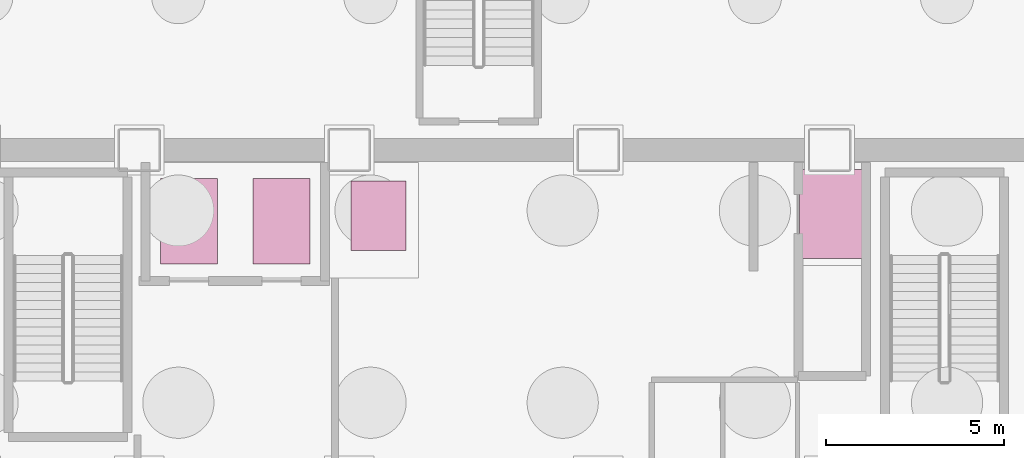
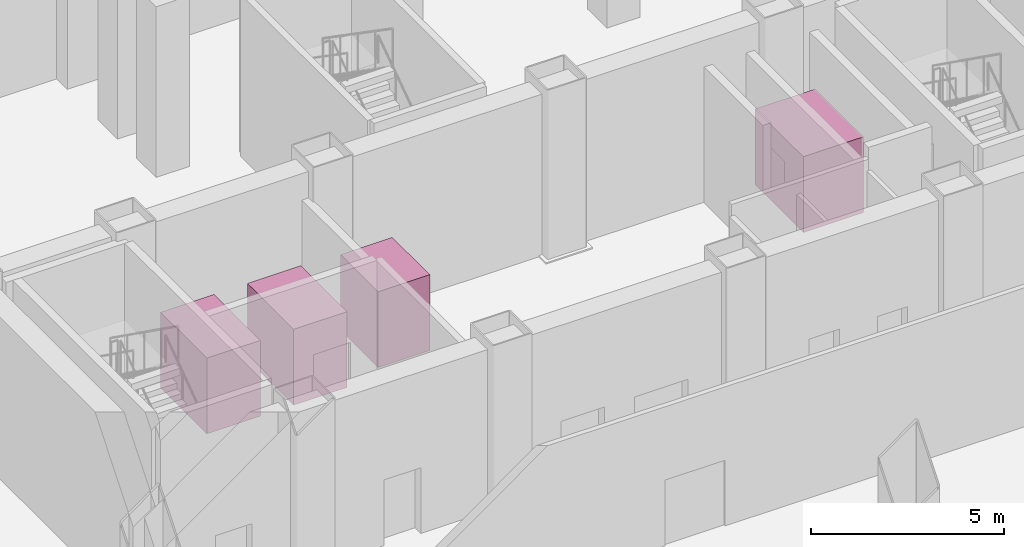
# One storey, part 8 of 8: 4 transport elements.
"""IFC4 building model written with IfcOpenShell, lengths in metres."""

from ifc_helpers import new_model, si_unit, direction, frame, origin, origin_2d, place, context, subcontext, project, spatial, rectangle, extrude, material, type_object, element, save


model = new_model("IFC4")

# Units and contexts
model_context = context("Model", 3, precision=1e-05, world=origin(), true_north=direction((0.0, 1.0)))
body_context = subcontext(model_context, "Body", "Model", "MODEL_VIEW")
ifc_project = project(units=[si_unit("LENGTHUNIT", "METRE"), si_unit("AREAUNIT", "SQUARE_METRE"), si_unit("VOLUMEUNIT", "CUBIC_METRE"), si_unit("PLANEANGLEUNIT", "RADIAN"), si_unit("MASSUNIT", "GRAM", prefix="KILO")], contexts=[model_context])

# Site, building, storey
site_placement = place(None, origin())
site = spatial("IfcSite", under=ifc_project, at=site_placement, CompositionType="ELEMENT")
building_placement = place(site_placement, origin())
building = spatial("IfcBuilding", under=site, at=building_placement, Name="Noeulbin Bourse Tower", CompositionType="ELEMENT")
storey_placement = place(building_placement, frame((0.0, 0.0, -15.60009765625)))
storey = spatial("IfcBuildingStorey", under=building, at=storey_placement, Name="B03", CompositionType="ELEMENT", Elevation=-15.60009765625)

# Transport elements
ifc_material = material(Name="Stainless Steel 316 Elevator Car", Category="steel")
transport_element_type_1 = type_object("IfcTransportElementType", Name="LFT-FL-01", PredefinedType="ELEVATOR", material=ifc_material)
transport_element_1_placement = place(storey_placement, frame((19.5, 36.300048828125, 0.2001953125), z_axis=(0.0, 0.0, 1.0), x_axis=(1.0, 0.0, 0.0)))
element("IfcTransportElement", 1, at=transport_element_1_placement, inside=storey, type_object=transport_element_type_1, Name="Firefighting Elevator FL-01", PredefinedType="ELEVATOR", context=body_context, shape_type="SweptSolid", body=[
    extrude(rectangle(XDim=1.60009765625, YDim=2.39990234375, at=origin_2d()), origin(), (0.0, 0.0, 1.0), 2.39990234375),
])
transport_element_type_2 = type_object("IfcTransportElementType", Name="LFT-FL-02", PredefinedType="ELEVATOR", material=ifc_material)
transport_element_2_placement = place(storey_placement, frame((22.10009765625, 36.300048828125, 0.2001953125), z_axis=(0.0, 0.0, 1.0), x_axis=(1.0, 0.0, 0.0)))
element("IfcTransportElement", 2, at=transport_element_2_placement, inside=storey, type_object=transport_element_type_2, Name="Firefighting Elevator FL-02", PredefinedType="ELEVATOR", context=body_context, shape_type="SweptSolid", body=[
    extrude(rectangle(XDim=1.60009765625, YDim=2.39990234375, at=origin_2d()), origin(), (0.0, 0.0, 1.0), 2.39990234375),
])
transport_element_type_3 = type_object("IfcTransportElementType", Name="LFT-PL-S1", PredefinedType="ELEVATOR", material=ifc_material)
transport_element_3_placement = place(storey_placement, frame((24.820068359375, 36.449951171875, 0.2001953125), z_axis=(0.0, 0.0, 1.0), x_axis=(1.0, 0.0, 0.0)))
element("IfcTransportElement", 3, at=transport_element_3_placement, inside=storey, type_object=transport_element_type_3, Name="Passenger Elevator PL-S1", PredefinedType="ELEVATOR", context=body_context, shape_type="SweptSolid", body=[
    extrude(rectangle(XDim=1.550048828125, YDim=1.949951171875, at=origin_2d()), origin(), (0.0, 0.0, 1.0), 2.39990234375),
])
transport_element_type_4 = type_object("IfcTransportElementType", Name="LFT-SV-01", PredefinedType="ELEVATOR", material=ifc_material)
transport_element_4_placement = place(storey_placement, frame((37.550048828125, 36.5, 0.2001953125), z_axis=(0.0, 0.0, 1.0), x_axis=(1.0, 0.0, 0.0)))
element("IfcTransportElement", 4, at=transport_element_4_placement, inside=storey, type_object=transport_element_type_4, Name="Passenger Elevator SV-01", PredefinedType="ELEVATOR", context=body_context, shape_type="SweptSolid", body=[
    extrude(rectangle(XDim=1.800048828125, YDim=2.5, at=origin_2d()), origin(), (0.0, 0.0, 1.0), 2.39990234375),
])

save(model, "model.ifc")
